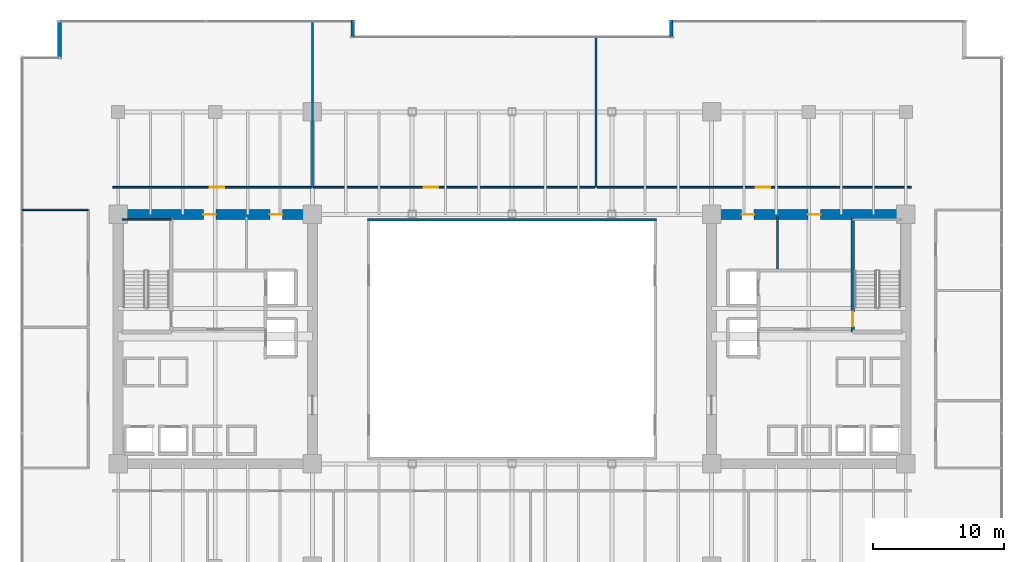
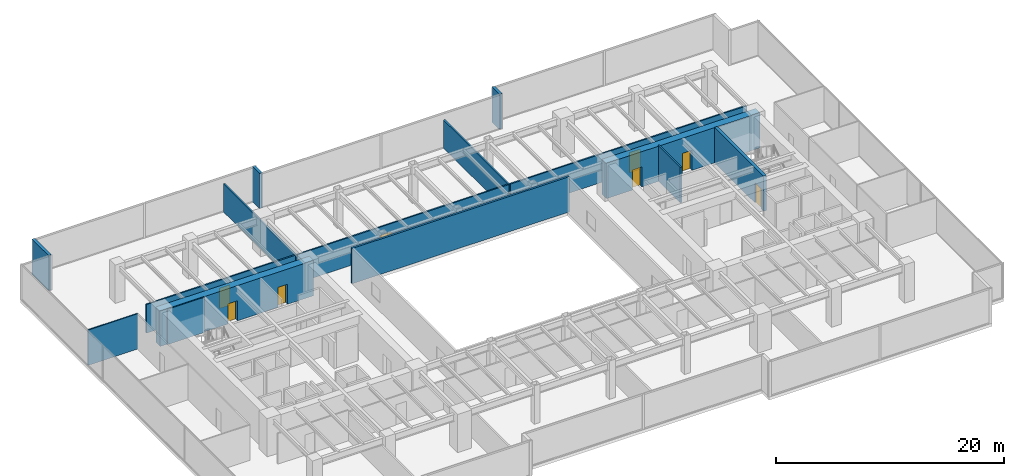
# One storey, part 31 of 35: 15 walls, 8 doors, 8 openings.
"""IFC4 building model written with IfcOpenShell, lengths in metres."""

from ifc_helpers import new_model, si_unit, direction, frame, frame_2d, origin, place, context, subcontext, project, spatial, rectangle, extrude, source, transform, mapped, material, layer, layer_set, type_object, type_shapes, element, fill, save


model = new_model("IFC4")

# Units and contexts
model_context = context("Model", 3, precision=1e-05, world=origin(), true_north=direction((0.0, 1.0)))
body_context = subcontext(model_context, "Body", "Model", "MODEL_VIEW")
ifc_project = project(units=[si_unit("LENGTHUNIT", "METRE"), si_unit("AREAUNIT", "SQUARE_METRE"), si_unit("VOLUMEUNIT", "CUBIC_METRE"), si_unit("PLANEANGLEUNIT", "RADIAN"), si_unit("MASSUNIT", "GRAM", prefix="KILO")], contexts=[model_context])

# Site, building, storey
site_placement = place(None, origin())
site = spatial("IfcSite", under=ifc_project, at=site_placement, CompositionType="ELEMENT")
building_placement = place(site_placement, origin())
building = spatial("IfcBuilding", under=site, at=building_placement, Name="Haelvirn Gate Laboratories", CompositionType="ELEMENT")
storey_placement = place(building_placement, frame((0.0, 0.0, 41.60009765625)))
storey = spatial("IfcBuildingStorey", under=building, at=storey_placement, Name="L10", CompositionType="ELEMENT", Elevation=41.60009765625)

# Walls
ifc_material_1 = material(Name="Thermally-broken bronze aluminium rainscreen & mineral wool", Category="aluminium")
ifc_layer_1 = layer(ifc_material_1, 0.280029296875, Name="EW-TERR-280")
ifc_layer_set_1 = layer_set([ifc_layer_1], Name="Thermally-broken bronze aluminium rainscreen & mineral wool")
wall_type_1 = type_object("IfcWallType", Name="EW-TERR-280", PredefinedType="STANDARD", material=ifc_layer_set_1)
for number, where, z_axis, x_axis, name in (
    (1, (49.5400390625, 48.60009765625, 0.0), (0.0, 0.0, 1.0), (0.0, -1.0, 0.0), "L10 Atrium Recess Bronze Return Wall 11"),
    (2, (25.260009765625, 47.31201171875, 0.0), (0.0, 0.0, 1.0), (0.0, 1.0, 0.0), "L10 Atrium Recess Bronze Return Wall 13"),
):
    element("IfcWall", number, at=place(storey_placement, frame(where, z_axis=z_axis, x_axis=x_axis)), inside=storey, type_object=wall_type_1, Name=name, PredefinedType="STANDARD", context=body_context, shape_type="SweptSolid", body=[
        extrude(rectangle(XDim=1.2880859375, YDim=0.280029296875, at=frame_2d((0.64404296875, 0.0))), origin(), (0.0, 0.0, 1.0), 3.77978515625),
    ])
wall_1_placement = place(storey_placement, frame((2.93994140625, 48.60009765625, 0.0), z_axis=(0.0, 0.0, 1.0), x_axis=(0.0, -1.0, 0.0)))
element("IfcWall", 3, at=wall_1_placement, inside=storey, type_object=wall_type_1, Name="L10 Atrium Recess Bronze Return Wall 15", PredefinedType="STANDARD", context=body_context, shape_type="SweptSolid", body=[
    extrude(rectangle(XDim=2.88818359375, YDim=0.280029296875, at=frame_2d((1.444091796875, 0.0))), origin(), (0.0, 0.0, 1.0), 3.77978515625),
])
ifc_material_2 = material(Name="Double-layer acoustic gypsum laboratory partition", Category="gypsum")
ifc_layer_2 = layer(ifc_material_2, 0.159912109375, Name="IW-ACOUST-160")
ifc_layer_set_2 = layer_set([ifc_layer_2], Name="Double-layer acoustic gypsum laboratory partition")
wall_type_2 = type_object("IfcWallType", Name="IW-ACOUST-160", PredefinedType="PARTITIONING", material=ifc_layer_set_2)
wall_2_placement = place(storey_placement, frame((22.199951171875, 35.860107421875, 0.0), z_axis=(0.0, 0.0, 1.0), x_axis=(0.0, 1.0, 0.0)))
element("IfcWall", 4, at=wall_2_placement, inside=storey, type_object=wall_type_2, Name="L10 Interior Wall IW-L10-NDIV-01", PredefinedType="PARTITIONING", context=body_context, shape_type="SweptSolid", body=[
    extrude(rectangle(XDim=12.6298828125, YDim=0.159912109375, at=frame_2d((6.31494140625, 0.0))), origin(), (0.0, 0.0, 1.0), 3.014892578125),
])
wall_3_placement = place(storey_placement, frame((43.800048828125, 35.860107421875, 0.0), z_axis=(0.0, 0.0, 1.0), x_axis=(0.0, 1.0, 0.0)))
element("IfcWall", 5, at=wall_3_placement, inside=storey, type_object=wall_type_2, Name="L10 Interior Wall IW-L10-NDIV-02", PredefinedType="PARTITIONING", context=body_context, shape_type="SweptSolid", body=[
    extrude(rectangle(XDim=11.429931640625, YDim=0.159912109375, at=frame_2d((5.71484375, 0.0))), origin(), (0.0, 0.0, 1.0), 3.014892578125),
])
ifc_material_3 = material(Name="Tempered fire-rated borosilicate glass & anodised aluminium", Category="aluminium")
ifc_layer_3 = layer(ifc_material_3, 0.195068359375, Name="IW-GLAZ-200")
ifc_layer_set_3 = layer_set([ifc_layer_3], Name="Tempered fire-rated borosilicate glass & anodised aluminium")
wall_type_3 = type_object("IfcWallType", Name="IW-GLAZ-200", PredefinedType="SOLIDWALL", material=ifc_layer_set_3)
wall_4_placement = place(storey_placement, frame((26.39990234375, 33.39990234375, 0.0), z_axis=(0.0, 0.0, 1.0), x_axis=(1.0, 0.0, 0.0)))
element("IfcWall", 6, at=wall_4_placement, inside=storey, type_object=wall_type_3, Name="L10 Interior Wall IW-L10-ATRIUM-N", PredefinedType="SOLIDWALL", context=body_context, shape_type="SweptSolid", body=[
    extrude(rectangle(XDim=22.0, YDim=0.195068359375, at=frame_2d((11.0, 0.0))), origin(), (0.0, 0.0, 1.0), 3.77978515625),
])
ifc_material_4 = material(Name="Lightweight acoustic gypsum board partition", Category="gypsum")
ifc_layer_4 = layer(ifc_material_4, 0.1201171875, Name="IW-PART-120")
ifc_layer_set_4 = layer_set([ifc_layer_4], Name="Lightweight acoustic gypsum board partition")
wall_type_4 = type_object("IfcWallType", Name="IW-PART-120", PredefinedType="PARTITIONING", material=ifc_layer_set_4)
wall_5_placement = place(storey_placement, frame((0.110107421875, 34.135009765625, 0.0), z_axis=(0.0, 0.0, 1.0), x_axis=(1.0, 0.0, 0.0)))
element("IfcWall", 7, at=wall_5_placement, inside=storey, type_object=wall_type_4, Name="L10 Interior Wall IW-L10-WCAP-N", PredefinedType="PARTITIONING", context=body_context, shape_type="SweptSolid", body=[
    extrude(rectangle(XDim=5.019775390625, YDim=0.1201171875, at=frame_2d((2.509765625, 0.0))), origin(), (0.0, 0.0, 1.0), 3.77978515625),
])

# Wall, opening, door
ifc_material_5 = material(Name="Acoustic mineral-wool gypsum board partition", Category="gypsum")
ifc_layer_5 = layer(ifc_material_5, 0.139892578125, Name="IW-PART-140")
ifc_layer_set_5 = layer_set([ifc_layer_5], Name="Acoustic mineral-wool gypsum board partition")
wall_type_5 = type_object("IfcWallType", Name="IW-PART-140", PredefinedType="PARTITIONING", material=ifc_layer_set_5)
wall_6_placement = place(storey_placement, frame((6.97998046875, 35.860107421875, 0.0), z_axis=(0.0, 0.0, 1.0), x_axis=(1.0, 0.0, 0.0)))
wall_6 = element("IfcWall", 8, at=wall_6_placement, inside=storey, type_object=wall_type_5, Name="L10 Interior Wall IW-L10-NCORR-01", PredefinedType="PARTITIONING", context=body_context, shape_type="SweptSolid", body=[
    extrude(rectangle(XDim=15.14013671875, YDim=0.139892578125, at=frame_2d((7.570068359375, 0.0))), origin(), (0.0, 0.0, 1.0), 3.06494140625),
])
opening_1_placement = place(wall_6_placement, frame((7.420166015625, 0.0, 0.0)))
opening_1 = element("IfcOpeningElement", 9, at=opening_1_placement, cuts=wall_6, Name="Opening D1", PredefinedType="OPENING", context=body_context, shape_type="SweptSolid", body=[
    extrude(rectangle(XDim=1.10009765625, YDim=2.179931640625, at=frame_2d((0.550048828125, 1.08984375))), frame((0.0, 0.080078125, 0.0), z_axis=(0.0, -1.0, 0.0), x_axis=(1.0, 0.0, 0.0)), (0.0, 0.0, 1.0), 0.159912109375),
])
ifc_material_6 = material(Name="Vision-panel acoustic solid-core timber lab door", Category="wood")
door_type_1 = type_object("IfcDoorType", Name="DR-LAB-1100", OperationType="NOTDEFINED", PredefinedType="DOOR", material=ifc_material_6)
shared_shape_1 = source(origin(), body_context, "Body", "SweptSolid", [
    extrude(rectangle(XDim=1.10009765625, YDim=2.179931640625, at=frame_2d((0.550048828125, 1.08984375))), frame((0.0, 0.02490234375, 0.0), z_axis=(0.0, -1.0, 0.0), x_axis=(1.0, 0.0, 0.0)), (0.0, 0.0, 1.0), 0.050048828125),
])
type_shapes(door_type_1, [shared_shape_1])
door_1_placement = place(opening_1_placement, origin())
door_1 = element("IfcDoor", 10, at=door_1_placement, inside=storey, type_object=door_type_1, Name="L10 Researcher Quiet Study Door N1", OperationType="SINGLE_SWING_RIGHT", OverallHeight=2.179931640625, OverallWidth=1.10009765625, PredefinedType="DOOR", context=body_context, shape_type="MappedRepresentation", body=[
    mapped(shared_shape_1, transform((0.0, 0.0, 0.0), scale=1.0)),
])
fill(opening_1, door_1)

wall_7_placement = place(storey_placement, frame((22.280029296875, 35.860107421875, 0.0), z_axis=(0.0, 0.0, 1.0), x_axis=(1.0, 0.0, 0.0)))
wall_7 = element("IfcWall", 11, at=wall_7_placement, inside=storey, type_object=wall_type_5, Name="L10 Interior Wall IW-L10-NCORR-02", PredefinedType="PARTITIONING", context=body_context, shape_type="SweptSolid", body=[
    extrude(rectangle(XDim=21.43994140625, YDim=0.139892578125, at=frame_2d((10.719970703125, 0.0))), origin(), (0.0, 0.0, 1.0), 3.06494140625),
])
opening_2_placement = place(wall_7_placement, frame((8.40234375, 0.0, 0.0)))
opening_2 = element("IfcOpeningElement", 12, at=opening_2_placement, cuts=wall_7, Name="Opening D1", PredefinedType="OPENING", context=body_context, shape_type="SweptSolid", body=[
    extrude(rectangle(XDim=1.10009765625, YDim=2.179931640625, at=frame_2d((0.550048828125, 1.08984375))), frame((0.0, 0.080078125, 0.0), z_axis=(0.0, -1.0, 0.0), x_axis=(1.0, 0.0, 0.0)), (0.0, 0.0, 1.0), 0.159912109375),
])
door_2_placement = place(opening_2_placement, origin())
door_2 = element("IfcDoor", 13, at=door_2_placement, inside=storey, type_object=door_type_1, Name="L10 Protocol Briefing Training Room Door N2", OperationType="SINGLE_SWING_LEFT", OverallHeight=2.179931640625, OverallWidth=1.10009765625, PredefinedType="DOOR", context=body_context, shape_type="MappedRepresentation", body=[
    mapped(shared_shape_1, transform((0.0, 0.0, 0.0), scale=1.0)),
])
fill(opening_2, door_2)

wall_8_placement = place(storey_placement, frame((43.8798828125, 35.860107421875, 0.0), z_axis=(0.0, 0.0, 1.0), x_axis=(1.0, 0.0, 0.0)))
wall_8 = element("IfcWall", 14, at=wall_8_placement, inside=storey, type_object=wall_type_5, Name="L10 Interior Wall IW-L10-NCORR-03", PredefinedType="PARTITIONING", context=body_context, shape_type="SweptSolid", body=[
    extrude(rectangle(XDim=23.940185546875, YDim=0.139892578125, at=frame_2d((11.97021484375, 0.0))), origin(), (0.0, 0.0, 1.0), 3.06494140625),
])
opening_3_placement = place(wall_8_placement, frame((12.084228515625, 0.0, 0.0)))
opening_3 = element("IfcOpeningElement", 15, at=opening_3_placement, cuts=wall_8, Name="Opening D1", PredefinedType="OPENING", context=body_context, shape_type="SweptSolid", body=[
    extrude(rectangle(XDim=1.10009765625, YDim=2.179931640625, at=frame_2d((0.550048828125, 1.08984375))), frame((0.0, 0.080078125, 0.0), z_axis=(0.0, -1.0, 0.0), x_axis=(1.0, 0.0, 0.0)), (0.0, 0.0, 1.0), 0.159912109375),
])
door_3_placement = place(opening_3_placement, origin())
door_3 = element("IfcDoor", 16, at=door_3_placement, inside=storey, type_object=door_type_1, Name="L10 Peer-Review Seminar Room Door N3", OperationType="SINGLE_SWING_RIGHT", OverallHeight=2.179931640625, OverallWidth=1.10009765625, PredefinedType="DOOR", context=body_context, shape_type="MappedRepresentation", body=[
    mapped(shared_shape_1, transform((0.0, 0.0, 0.0), scale=1.0)),
])
fill(opening_3, door_3)

# Wall
ifc_material_7 = material(Name="Cement-board restroom plumbing chase wall", Category="gypsum")
ifc_layer_6 = layer(ifc_material_7, 0.155029296875, Name="IW-PLUMB-160")
ifc_layer_set_6 = layer_set([ifc_layer_6], Name="Cement-board restroom plumbing chase wall")
wall_type_6 = type_object("IfcWallType", Name="IW-PLUMB-160", PredefinedType="PLUMBINGWALL", material=ifc_layer_set_6)
wall_9_placement = place(storey_placement, frame((57.610107421875, 29.64990234375, 0.0), z_axis=(0.0, 0.0, 1.0), x_axis=(0.0, 1.0, 0.0)))
element("IfcWall", 17, at=wall_9_placement, inside=storey, type_object=wall_type_6, Name="L10 Interior Wall IW-L10-E-CDIV-1", PredefinedType="PLUMBINGWALL", context=body_context, shape_type="SweptSolid", body=[
    extrude(rectangle(XDim=3.93017578125, YDim=0.155029296875, at=frame_2d((1.965087890625, 0.0))), origin(), (0.0, 0.0, 1.0), 3.77978515625),
])

# Wall, openings, doors
ifc_material_8 = material(Name="Concrete C70/85", Category="concrete")
ifc_layer_7 = layer(ifc_material_8, 0.75, Name="SW-CORE-750")
ifc_layer_set_7 = layer_set([ifc_layer_7], Name="Concrete C70/85")
wall_type_7 = type_object("IfcWallType", Name="SW-CORE-750", PredefinedType="SHEAR", material=ifc_layer_set_7)
wall_10_placement = place(storey_placement, frame((7.02490234375, 33.800048828125, 0.0), z_axis=(0.0, 0.0, 1.0), x_axis=(1.0, 0.0, 0.0)))
wall_10 = element("IfcWall", 18, at=wall_10_placement, inside=storey, type_object=wall_type_7, Name="L10 W Core Shear Wall N", PredefinedType="SHEAR", context=body_context, shape_type="SweptSolid", body=[
    extrude(rectangle(XDim=15.550048828125, YDim=0.75, at=frame_2d((7.77490234375, 0.0))), origin(), (0.0, 0.0, 1.0), 3.77978515625),
])
opening_4_placement = place(wall_10_placement, frame((6.875, 0.0, 0.0)))
opening_4 = element("IfcOpeningElement", 19, at=opening_4_placement, cuts=wall_10, Name="Opening FD4", PredefinedType="OPENING", context=body_context, shape_type="SweptSolid", body=[
    extrude(rectangle(XDim=0.949951171875, YDim=2.14990234375, at=frame_2d((0.47509765625, 1.074951171875))), frame((0.0, 0.385009765625, 0.0), z_axis=(0.0, -1.0, 0.0), x_axis=(1.0, 0.0, 0.0)), (0.0, 0.0, 1.0), 0.77001953125),
])
opening_5_placement = place(wall_10_placement, frame((11.93994140625, 0.0, 0.0)))
opening_5 = element("IfcOpeningElement", 20, at=opening_5_placement, cuts=wall_10, Name="Opening FD4", PredefinedType="OPENING", context=body_context, shape_type="SweptSolid", body=[
    extrude(rectangle(XDim=0.949951171875, YDim=2.14990234375, at=frame_2d((0.47509765625, 1.074951171875))), frame((0.0, 0.385009765625, 0.0), z_axis=(0.0, -1.0, 0.0), x_axis=(1.0, 0.0, 0.0)), (0.0, 0.0, 1.0), 0.77001953125),
])
ifc_material_9 = material(Name="Fire-rated steel SM355 core service door", Category="steel")
door_type_2 = type_object("IfcDoorType", Name="DR-FD-950", OperationType="NOTDEFINED", PredefinedType="DOOR", material=ifc_material_9)
shared_shape_2 = source(origin(), body_context, "Body", "SweptSolid", [
    extrude(rectangle(XDim=0.949951171875, YDim=2.14990234375, at=frame_2d((0.47509765625, 1.074951171875))), frame((0.0, 0.02490234375, 0.0), z_axis=(0.0, -1.0, 0.0), x_axis=(1.0, 0.0, 0.0)), (0.0, 0.0, 1.0), 0.050048828125),
])
type_shapes(door_type_2, [shared_shape_2])
door_4_placement = place(opening_4_placement, origin())
door_4 = element("IfcDoor", 21, at=door_4_placement, inside=storey, type_object=door_type_2, Name="L10 All-Gender Multi-Stall Restroom Fire Door", OperationType="SINGLE_SWING_LEFT", OverallHeight=2.14990234375, OverallWidth=0.949951171875, PredefinedType="DOOR", context=body_context, shape_type="MappedRepresentation", body=[
    mapped(shared_shape_2, transform((0.0, 0.0, 0.0), scale=1.0)),
])
fill(opening_4, door_4)
door_5_placement = place(opening_5_placement, origin())
door_5 = element("IfcDoor", 22, at=door_5_placement, inside=storey, type_object=door_type_2, Name="L10 Accessible Restroom Fire Door", OperationType="SINGLE_SWING_RIGHT", OverallHeight=2.14990234375, OverallWidth=0.949951171875, PredefinedType="DOOR", context=body_context, shape_type="MappedRepresentation", body=[
    mapped(shared_shape_2, transform((0.0, 0.0, 0.0), scale=1.0)),
])
fill(opening_5, door_5)

wall_11_placement = place(storey_placement, frame((52.22509765625, 33.800048828125, 0.0), z_axis=(0.0, 0.0, 1.0), x_axis=(1.0, 0.0, 0.0)))
wall_11 = element("IfcWall", 23, at=wall_11_placement, inside=storey, type_object=wall_type_7, Name="L10 E Core Shear Wall N", PredefinedType="SHEAR", context=body_context, shape_type="SweptSolid", body=[
    extrude(rectangle(XDim=15.5498046875, YDim=0.75, at=frame_2d((7.77490234375, 0.0))), origin(), (0.0, 0.0, 1.0), 3.77978515625),
])
opening_6_placement = place(wall_11_placement, frame((7.72509765625, 0.0, 0.0)))
opening_6 = element("IfcOpeningElement", 24, at=opening_6_placement, cuts=wall_11, Name="Opening FD4", PredefinedType="OPENING", context=body_context, shape_type="SweptSolid", body=[
    extrude(rectangle(XDim=0.949951171875, YDim=2.14990234375, at=frame_2d((0.47509765625, 1.074951171875))), frame((0.0, 0.385009765625, 0.0), z_axis=(0.0, -1.0, 0.0), x_axis=(1.0, 0.0, 0.0)), (0.0, 0.0, 1.0), 0.77001953125),
])
opening_7_placement = place(wall_11_placement, frame((2.659912109375, 0.0, 0.0)))
opening_7 = element("IfcOpeningElement", 25, at=opening_7_placement, cuts=wall_11, Name="Opening FD4", PredefinedType="OPENING", context=body_context, shape_type="SweptSolid", body=[
    extrude(rectangle(XDim=0.949951171875, YDim=2.14990234375, at=frame_2d((0.47509765625, 1.074951171875))), frame((0.0, 0.385009765625, 0.0), z_axis=(0.0, -1.0, 0.0), x_axis=(1.0, 0.0, 0.0)), (0.0, 0.0, 1.0), 0.77001953125),
])
door_6_placement = place(opening_6_placement, origin())
door_6 = element("IfcDoor", 26, at=door_6_placement, inside=storey, type_object=door_type_2, Name="L10 All-Gender Multi-Stall Restroom Fire Door", OperationType="SINGLE_SWING_LEFT", OverallHeight=2.14990234375, OverallWidth=0.949951171875, PredefinedType="DOOR", context=body_context, shape_type="MappedRepresentation", body=[
    mapped(shared_shape_2, transform((0.0, 0.0, 0.0), scale=1.0)),
])
fill(opening_6, door_6)
door_7_placement = place(opening_7_placement, origin())
door_7 = element("IfcDoor", 27, at=door_7_placement, inside=storey, type_object=door_type_2, Name="L10 Accessible Restroom Fire Door", OperationType="SINGLE_SWING_RIGHT", OverallHeight=2.14990234375, OverallWidth=0.949951171875, PredefinedType="DOOR", context=body_context, shape_type="MappedRepresentation", body=[
    mapped(shared_shape_2, transform((0.0, 0.0, 0.0), scale=1.0)),
])
fill(opening_7, door_7)

# Wall
ifc_material_10 = material(Name="Concrete C50/60", Category="concrete")
ifc_layer_8 = layer(ifc_material_10, 0.1201171875, Name="SW-LINER-120")
ifc_layer_set_8 = layer_set([ifc_layer_8], Name="Concrete C50/60")
wall_type_8 = type_object("IfcWallType", Name="SW-LINER-120", PredefinedType="SOLIDWALL", material=ifc_layer_set_8)
wall_12_placement = place(storey_placement, frame((7.72998046875, 33.39990234375, 0.0), z_axis=(0.0, 0.0, 1.0), x_axis=(1.0, 0.0, 0.0)))
element("IfcWall", 28, at=wall_12_placement, inside=storey, type_object=wall_type_8, Name="L10 W Core Stair Shaft Liner Wall N", PredefinedType="SOLIDWALL", context=body_context, shape_type="SweptSolid", body=[
    extrude(rectangle(XDim=3.719970703125, YDim=0.1201171875, at=frame_2d((1.85986328125, 0.0))), origin(), (0.0, 0.0, 1.0), 3.77978515625),
])

# Wall, opening, door
ifc_layer_9 = layer(ifc_material_10, 0.300048828125, Name="SW-STAIR-300")
ifc_layer_set_9 = layer_set([ifc_layer_9], Name="Concrete C50/60")
wall_type_9 = type_object("IfcWallType", Name="SW-STAIR-300", PredefinedType="SHEAR", material=ifc_layer_set_9)
wall_13_placement = place(storey_placement, frame((63.35009765625, 24.85009765625, 0.0), z_axis=(0.0, 0.0, 1.0), x_axis=(0.0, 1.0, 0.0)))
wall_13 = element("IfcWall", 29, at=wall_13_placement, inside=storey, type_object=wall_type_9, Name="L10 E Core Stair Shaft Structural Wall IN", PredefinedType="SHEAR", context=body_context, shape_type="SweptSolid", body=[
    extrude(rectangle(XDim=8.6298828125, YDim=0.300048828125, at=frame_2d((4.31494140625, 0.0))), origin(), (0.0, 0.0, 1.0), 3.77978515625),
])
opening_8_placement = place(wall_13_placement, frame((0.419921875, 0.0, 0.0)))
opening_8 = element("IfcOpeningElement", 30, at=opening_8_placement, cuts=wall_13, Name="Opening FD3", PredefinedType="OPENING", context=body_context, shape_type="SweptSolid", body=[
    extrude(rectangle(XDim=1.10009765625, YDim=2.14990234375, at=frame_2d((0.550048828125, 1.074951171875))), frame((0.0, 0.16015625, 0.0), z_axis=(0.0, -1.0, 0.0), x_axis=(1.0, 0.0, 0.0)), (0.0, 0.0, 1.0), 0.320068359375),
])
ifc_material_11 = material(Name="Fire-rated steel SM355 escape stair door", Category="steel")
door_type_3 = type_object("IfcDoorType", Name="DR-FD-1100", OperationType="NOTDEFINED", PredefinedType="DOOR", material=ifc_material_11)
shared_shape_3 = source(origin(), body_context, "Body", "SweptSolid", [
    extrude(rectangle(XDim=1.10009765625, YDim=2.14990234375, at=frame_2d((0.550048828125, 1.074951171875))), frame((0.0, 0.02490234375, 0.0), z_axis=(0.0, -1.0, 0.0), x_axis=(1.0, 0.0, 0.0)), (0.0, 0.0, 1.0), 0.050048828125),
])
type_shapes(door_type_3, [shared_shape_3])
door_8_placement = place(opening_8_placement, origin())
door_8 = element("IfcDoor", 31, at=door_8_placement, inside=storey, type_object=door_type_3, Name="L10 Escape Stair ST2 Fire Door", OperationType="SINGLE_SWING_RIGHT", OverallHeight=2.14990234375, OverallWidth=1.10009765625, PredefinedType="DOOR", context=body_context, shape_type="MappedRepresentation", body=[
    mapped(shared_shape_3, transform((0.0, 0.0, 0.0), scale=1.0)),
])
fill(opening_8, door_8)

save(model, "model.ifc")
